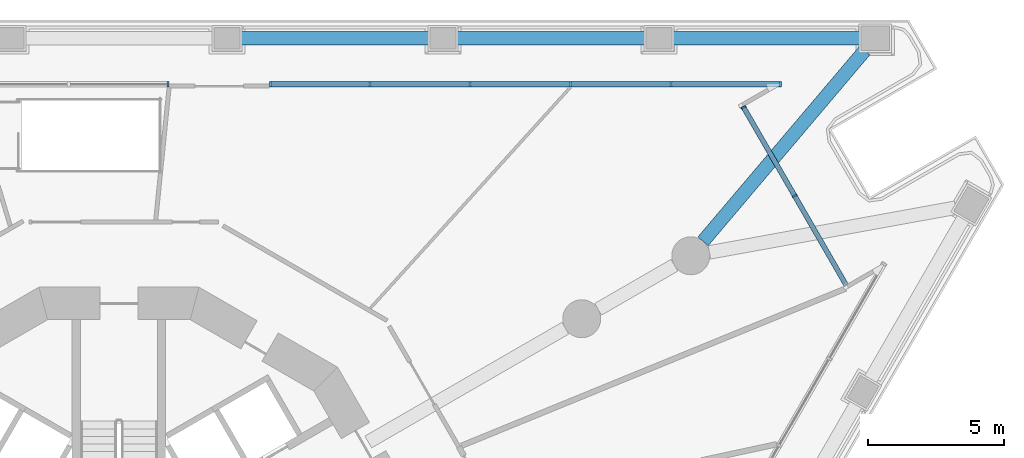
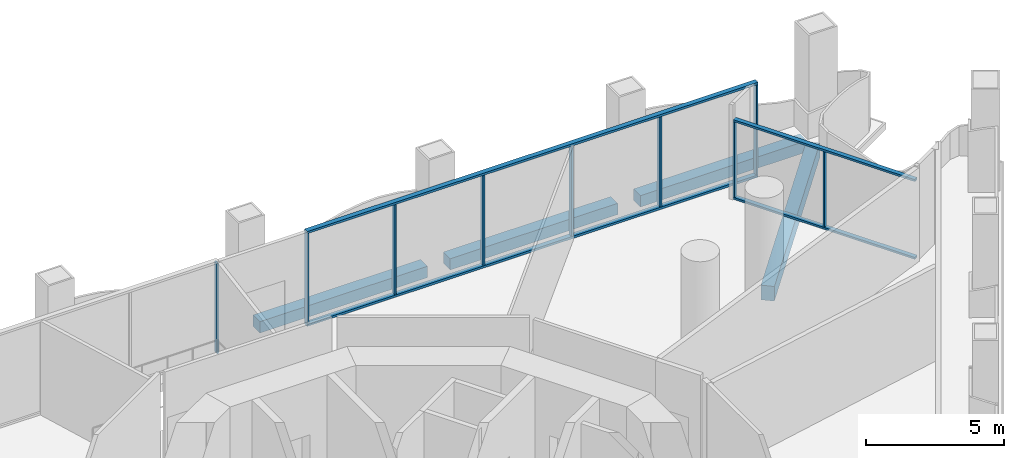
# One storey, part 8 of 21: 13 members, 4 beams, 3 elements without a shape of their own.
"""IFC4 building model written with IfcOpenShell, lengths in metres."""

from ifc_helpers import new_model, si_unit, direction, frame, origin, origin_2d, place, context, subcontext, project, spatial, rectangle, extrude, material, layer, layer_set, material_profile, profile_set, type_object, element, aggregate, save


model = new_model("IFC4")

# Units and contexts
model_context = context("Model", 3, precision=1e-05, world=origin(), true_north=direction((0.0, 1.0)))
body_context = subcontext(model_context, "Body", "Model", "MODEL_VIEW")
ifc_project = project(units=[si_unit("LENGTHUNIT", "METRE"), si_unit("AREAUNIT", "SQUARE_METRE"), si_unit("VOLUMEUNIT", "CUBIC_METRE"), si_unit("PLANEANGLEUNIT", "RADIAN"), si_unit("MASSUNIT", "GRAM", prefix="KILO")], contexts=[model_context])

# Site, building, storey
site_placement = place(None, origin())
site = spatial("IfcSite", under=ifc_project, at=site_placement, CompositionType="ELEMENT")
building_placement = place(site_placement, origin())
building = spatial("IfcBuilding", under=site, at=building_placement, Name="Trine Commons Tower", CompositionType="ELEMENT")
storey_placement = place(building_placement, frame((0.0, 0.0, 27.0)))
storey = spatial("IfcBuildingStorey", under=building, at=storey_placement, Name="L05", CompositionType="ELEMENT", Elevation=27.0)

# Curtain wall, members
ifc_material_1 = material(Name="Corner pocket glazing: anodised aluminium frame with low-emissivity double glazed unit, laminated", Category="aluminium")
ifc_layer_1 = layer(ifc_material_1, 0.179931640625)
ifc_layer_set_1 = layer_set([ifc_layer_1], Name="Corner pocket glazing: anodised aluminium frame with low-emissivity double glazed unit, laminated")
curtain_wall_type_1 = type_object("IfcCurtainWallType", Name="Corner pocket glazing curtain wall CW8", PredefinedType="NOTDEFINED", material=ifc_layer_set_1)
curtain_wall_1_placement = place(storey_placement, origin())
curtain_wall_1 = element("IfcCurtainWall", 1, at=curtain_wall_1_placement, inside=storey, type_object=curtain_wall_type_1, Name="Corner pocket glazing L05 P2.1", PredefinedType="NOTDEFINED")
ifc_material_2 = material(Name="Anodised aluminium, bronze finish", Category="aluminium")
ifc_material_profile_1 = material_profile(ifc_material_2, rectangle(XDim=0.179931640625, YDim=0.06494140625, at=origin_2d()), Name="Mullion 65x180")
ifc_profile_set_1 = profile_set([ifc_material_profile_1], Name="Anodised aluminium, bronze finish")
member_type_1 = type_object("IfcMemberType", Name="Mullion 65x180, Anodised aluminium, bronze finish", PredefinedType="MULLION", material=ifc_profile_set_1)
member_1_placement = place(storey_placement, frame((103.0224609375, 80.142333984375, 0.090087890625), z_axis=(0.0, 0.0, 1.0), x_axis=(0.866025403784, 0.5, 0.0)))
member_1 = element("IfcMember", 2, at=member_1_placement, type_object=member_type_1, Name="CW8 mullion 1.1", PredefinedType="MULLION", context=body_context, shape_type="SweptSolid", body=[
    extrude(rectangle(XDim=0.179931640625, YDim=0.06494140625, at=origin_2d()), origin(), (0.0, 0.0, 1.0), 3.349853515625),
])
member_2_placement = place(storey_placement, frame((104.90625, 76.879638671875, 0.090087890625), z_axis=(0.0, 0.0, 1.0), x_axis=(0.866025403784, 0.5, 0.0)))
member_2 = element("IfcMember", 3, at=member_2_placement, type_object=member_type_1, Name="CW8 mullion 2.1", PredefinedType="MULLION", context=body_context, shape_type="SweptSolid", body=[
    extrude(rectangle(XDim=0.179931640625, YDim=0.06494140625, at=origin_2d()), origin(), (0.0, 0.0, 1.0), 3.349853515625),
])

# Curtain wall, member
ifc_material_3 = material(Name="Podium glazing: anodised aluminium frame with low-emissivity double glazed unit", Category="aluminium")
ifc_layer_2 = layer(ifc_material_3, 0.199951171875)
ifc_layer_set_2 = layer_set([ifc_layer_2], Name="Podium glazing: anodised aluminium frame with low-emissivity double glazed unit")
curtain_wall_type_2 = type_object("IfcCurtainWallType", Name="Podium glazing curtain wall CW3", PredefinedType="NOTDEFINED", material=ifc_layer_set_2)
curtain_wall_2_placement = place(storey_placement, origin())
curtain_wall_2 = element("IfcCurtainWall", 4, at=curtain_wall_2_placement, inside=storey, type_object=curtain_wall_type_2, Name="Podium glazing L05 F1.1", PredefinedType="NOTDEFINED")
ifc_material_profile_2 = material_profile(ifc_material_2, rectangle(XDim=0.199951171875, YDim=0.074951171875, at=origin_2d()), Name="Mullion 75x200")
ifc_profile_set_2 = profile_set([ifc_material_profile_2], Name="Anodised aluminium, bronze finish")
member_type_2 = type_object("IfcMemberType", Name="Mullion 75x200, Anodised aluminium, bronze finish", PredefinedType="MULLION", material=ifc_profile_set_2)
member_3_placement = place(storey_placement, frame((81.811767578125, 80.984619140625, 0.10009765625), z_axis=(0.0, 0.0, 1.0), x_axis=(0.0, 1.0, 0.0)))
member_3 = element("IfcMember", 5, at=member_3_placement, type_object=member_type_2, Name="CW3 mullion 8.1", PredefinedType="MULLION", context=body_context, shape_type="SweptSolid", body=[
    extrude(rectangle(XDim=0.199951171875, YDim=0.074951171875, at=origin_2d()), origin(), (0.0, 0.0, 1.0), 4.0),
])
aggregate(curtain_wall_2, [member_3])

# Curtain wall, members
curtain_wall_3_placement = place(storey_placement, origin())
curtain_wall_3 = element("IfcCurtainWall", 6, at=curtain_wall_3_placement, inside=storey, type_object=curtain_wall_type_2, Name="Podium glazing L05 F1.2", PredefinedType="NOTDEFINED")
member_4_placement = place(storey_placement, frame((85.585693359375, 80.984619140625, 0.10009765625), z_axis=(0.0, 0.0, 1.0), x_axis=(0.0, 1.0, 0.0)))
member_4 = element("IfcMember", 7, at=member_4_placement, type_object=member_type_2, Name="CW3 mullion 1.1", PredefinedType="MULLION", context=body_context, shape_type="SweptSolid", body=[
    extrude(rectangle(XDim=0.199951171875, YDim=0.074951171875, at=origin_2d()), origin(), (0.0, 0.0, 1.0), 4.0),
])
member_5_placement = place(storey_placement, frame((89.2470703125, 80.984619140625, 0.10009765625), z_axis=(0.0, 0.0, 1.0), x_axis=(0.0, 1.0, 0.0)))
member_5 = element("IfcMember", 8, at=member_5_placement, type_object=member_type_2, Name="CW3 mullion 2.1", PredefinedType="MULLION", context=body_context, shape_type="SweptSolid", body=[
    extrude(rectangle(XDim=0.199951171875, YDim=0.074951171875, at=origin_2d()), origin(), (0.0, 0.0, 1.0), 4.0),
])
member_6_placement = place(storey_placement, frame((92.94580078125, 80.984619140625, 0.10009765625), z_axis=(0.0, 0.0, 1.0), x_axis=(0.0, 1.0, 0.0)))
member_6 = element("IfcMember", 9, at=member_6_placement, type_object=member_type_2, Name="CW3 mullion 3.1", PredefinedType="MULLION", context=body_context, shape_type="SweptSolid", body=[
    extrude(rectangle(XDim=0.199951171875, YDim=0.074951171875, at=origin_2d()), origin(), (0.0, 0.0, 1.0), 4.0),
])
member_7_placement = place(storey_placement, frame((96.644775390625, 80.984619140625, 0.10009765625), z_axis=(0.0, 0.0, 1.0), x_axis=(0.0, 1.0, 0.0)))
member_7 = element("IfcMember", 10, at=member_7_placement, type_object=member_type_2, Name="CW3 mullion 4.1", PredefinedType="MULLION", context=body_context, shape_type="SweptSolid", body=[
    extrude(rectangle(XDim=0.199951171875, YDim=0.074951171875, at=origin_2d()), origin(), (0.0, 0.0, 1.0), 4.0),
])
member_8_placement = place(storey_placement, frame((100.34375, 80.984619140625, 0.10009765625), z_axis=(0.0, 0.0, 1.0), x_axis=(0.0, 1.0, 0.0)))
member_8 = element("IfcMember", 11, at=member_8_placement, type_object=member_type_2, Name="CW3 mullion 5.1", PredefinedType="MULLION", context=body_context, shape_type="SweptSolid", body=[
    extrude(rectangle(XDim=0.199951171875, YDim=0.074951171875, at=origin_2d()), origin(), (0.0, 0.0, 1.0), 4.0),
])
member_9_placement = place(storey_placement, frame((104.37890625, 80.984619140625, 0.10009765625), z_axis=(0.0, 0.0, 1.0), x_axis=(0.0, 1.0, 0.0)))
member_9 = element("IfcMember", 12, at=member_9_placement, type_object=member_type_2, Name="CW3 mullion 6.1", PredefinedType="MULLION", context=body_context, shape_type="SweptSolid", body=[
    extrude(rectangle(XDim=0.199951171875, YDim=0.074951171875, at=origin_2d()), origin(), (0.0, 0.0, 1.0), 4.0),
])

# Beams
ifc_material_4 = material(Name="Concrete C50/60", Category="concrete")
ifc_material_profile_3 = material_profile(ifc_material_4, rectangle(XDim=0.5, YDim=0.5, at=origin_2d()), Name="RC 500x500")
ifc_profile_set_3 = profile_set([ifc_material_profile_3], Name="Concrete C50/60")
beam_type_1 = type_object("IfcBeamType", Name="RC beam 500x500, C50/60", PredefinedType="BEAM", material=ifc_profile_set_3)
beam_1_placement = place(storey_placement, frame((84.456787109375, 82.6845703125, -0.60009765625), z_axis=(1.0, 0.0, 0.0), x_axis=(0.0, 1.0, 0.0)))
element("IfcBeam", 13, at=beam_1_placement, inside=storey, type_object=beam_type_1, Name="Beam EB1-12 L05", PredefinedType="BEAM", context=body_context, shape_type="SweptSolid", body=[
    extrude(rectangle(XDim=0.5, YDim=0.5, at=origin_2d()), origin(), (0.0, 0.0, 1.0), 7.013427734375),
])
beam_2_placement = place(storey_placement, frame((92.420166015625, 82.6845703125, -0.60009765625), z_axis=(1.0, 0.0, 0.0), x_axis=(0.0, 1.0, 0.0)))
element("IfcBeam", 14, at=beam_2_placement, inside=storey, type_object=beam_type_1, Name="Beam EB1-13 L05", PredefinedType="BEAM", context=body_context, shape_type="SweptSolid", body=[
    extrude(rectangle(XDim=0.5, YDim=0.5, at=origin_2d()), origin(), (0.0, 0.0, 1.0), 7.01318359375),
])
beam_3_placement = place(storey_placement, frame((100.38330078125, 82.6845703125, -0.60009765625), z_axis=(1.0, 0.0, 0.0), x_axis=(0.0, 1.0, 0.0)))
element("IfcBeam", 15, at=beam_3_placement, inside=storey, type_object=beam_type_1, Name="Beam EB1-14 L05", PredefinedType="BEAM", context=body_context, shape_type="SweptSolid", body=[
    extrude(rectangle(XDim=0.5, YDim=0.5, at=origin_2d()), origin(), (0.0, 0.0, 1.0), 6.96337890625),
])
ifc_material_profile_4 = material_profile(ifc_material_4, rectangle(XDim=0.5, YDim=0.64990234375, at=origin_2d()), Name="RC 500x650")
ifc_profile_set_4 = profile_set([ifc_material_profile_4], Name="Concrete C50/60")
beam_type_2 = type_object("IfcBeamType", Name="RC beam 500x650, C50/60", PredefinedType="BEAM", material=ifc_profile_set_4)
beam_4_placement = place(storey_placement, frame((107.490478515625, 82.234619140625, -0.675048828125), z_axis=(-0.646611559024, -0.762819435867, 0.0), x_axis=(0.762819435867, -0.646611559024, 0.0)))
element("IfcBeam", 16, at=beam_4_placement, inside=storey, type_object=beam_type_2, Name="Beam CB1-03 L05", PredefinedType="BEAM", context=body_context, shape_type="SweptSolid", body=[
    extrude(rectangle(XDim=0.5, YDim=0.64990234375, at=origin_2d()), origin(), (0.0, 0.0, 1.0), 9.21875),
])

# Member
ifc_material_profile_5 = material_profile(ifc_material_2, rectangle(XDim=0.199951171875, YDim=0.10009765625, at=origin_2d()), Name="Transom 100x200")
ifc_profile_set_5 = profile_set([ifc_material_profile_5], Name="Anodised aluminium, bronze finish")
member_type_3 = type_object("IfcMemberType", Name="Transom 100x200, Anodised aluminium, bronze finish", PredefinedType="USERDEFINED", material=ifc_profile_set_5)
member_10_placement = place(storey_placement, frame((85.548095703125, 80.984619140625, 0.050048828125), z_axis=(1.0, 0.0, 0.0), x_axis=(0.0, 1.0, 0.0)))
member_10 = element("IfcMember", 17, at=member_10_placement, type_object=member_type_3, Name="CW3 transom T00", ObjectType="TRANSOM", PredefinedType="USERDEFINED", context=body_context, shape_type="SweptSolid", body=[
    extrude(rectangle(XDim=0.199951171875, YDim=0.10009765625, at=origin_2d()), origin(), (0.0, 0.0, 1.0), 18.8681640625),
])

member_11_placement = place(storey_placement, frame((85.548095703125, 80.984619140625, 4.14990234375), z_axis=(1.0, 0.0, 0.0), x_axis=(0.0, 1.0, 0.0)))
member_11 = element("IfcMember", 18, at=member_11_placement, type_object=member_type_3, Name="CW3 transom TH00", ObjectType="TRANSOM", PredefinedType="USERDEFINED", context=body_context, shape_type="SweptSolid", body=[
    extrude(rectangle(XDim=0.199951171875, YDim=0.10009765625, at=origin_2d()), origin(), (0.0, 0.0, 1.0), 18.8681640625),
])

aggregate(curtain_wall_3, [member_10, member_11, member_4, member_5, member_6, member_7, member_8, member_9])

ifc_material_profile_6 = material_profile(ifc_material_2, rectangle(XDim=0.179931640625, YDim=0.090087890625, at=origin_2d()), Name="Transom 90x180")
ifc_profile_set_6 = profile_set([ifc_material_profile_6], Name="Anodised aluminium, bronze finish")
member_type_4 = type_object("IfcMemberType", Name="Transom 90x180, Anodised aluminium, bronze finish", PredefinedType="USERDEFINED", material=ifc_profile_set_6)
member_12_placement = place(storey_placement, frame((103.006103515625, 80.17041015625, 0.044921875), z_axis=(0.500005158081, -0.866022425744, 0.0), x_axis=(0.866022425744, 0.500005158081, 0.0)))
member_12 = element("IfcMember", 19, at=member_12_placement, type_object=member_type_4, Name="CW8 transom T00", ObjectType="TRANSOM", PredefinedType="USERDEFINED", context=body_context, shape_type="SweptSolid", body=[
    extrude(rectangle(XDim=0.179931640625, YDim=0.090087890625, at=origin_2d()), origin(), (0.0, 0.0, 1.0), 7.60009765625),
])

member_13_placement = place(storey_placement, frame((103.006103515625, 80.17041015625, 3.485107421875), z_axis=(0.500005158081, -0.866022425744, 0.0), x_axis=(0.866022425744, 0.500005158081, 0.0)))
member_13 = element("IfcMember", 20, at=member_13_placement, type_object=member_type_4, Name="CW8 transom TH00", ObjectType="TRANSOM", PredefinedType="USERDEFINED", context=body_context, shape_type="SweptSolid", body=[
    extrude(rectangle(XDim=0.179931640625, YDim=0.090087890625, at=origin_2d()), origin(), (0.0, 0.0, 1.0), 7.60009765625),
])

aggregate(curtain_wall_1, [member_12, member_13, member_1, member_2])

save(model, "model.ifc")
